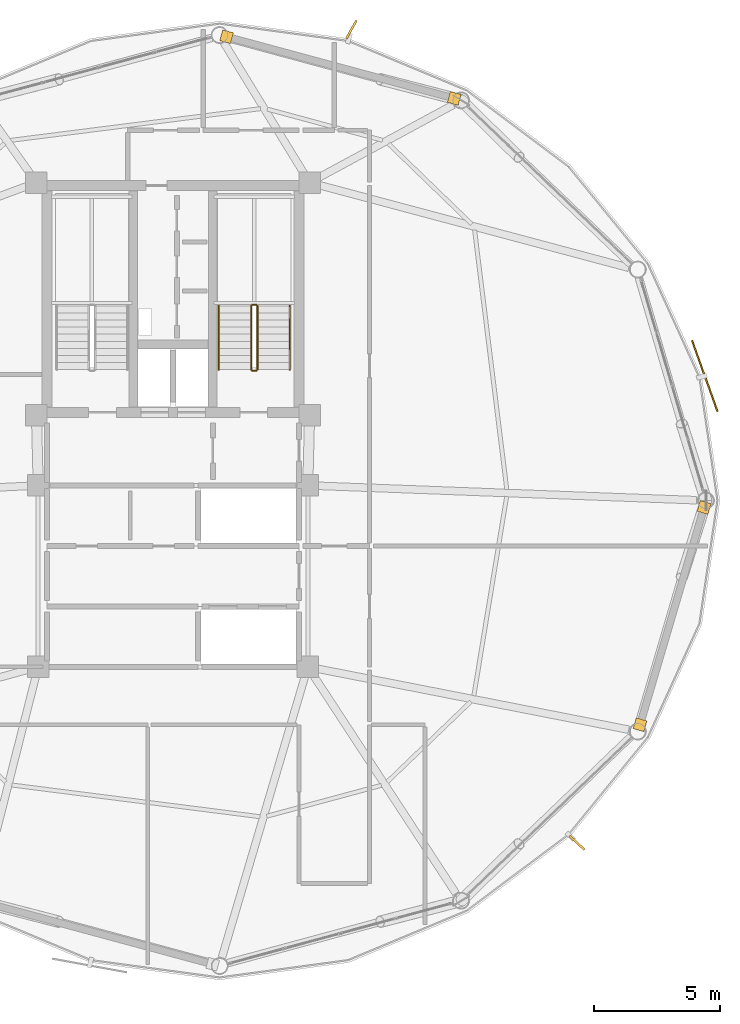
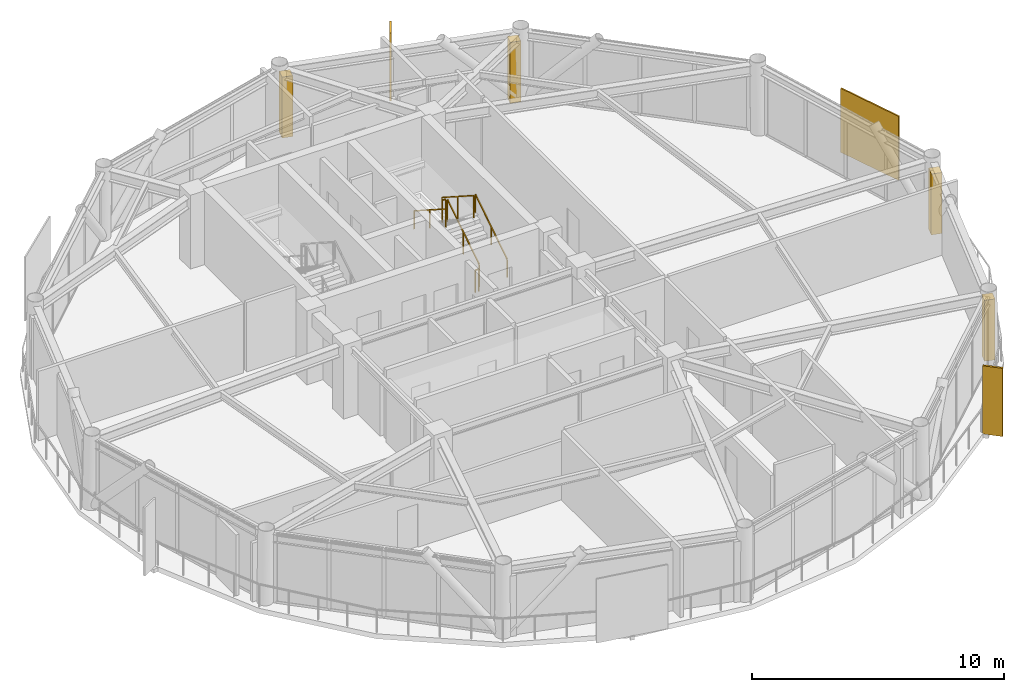
# One storey, part 28 of 28: 6 railings, 4 coverings, 3 shading devices.
"""IFC4 building model written with IfcOpenShell, lengths in metres."""

import ifcopenshell
import ifcopenshell.guid

model = None  # the IFC model being written
_history = None  # IfcOwnerHistory: only IFC2X3 demands one
_inside = {}  # id of a spatial element -> (the spatial element, [elements in it])
_under = {}  # id of a project, library or spatial element -> (it, [spatial elements below it])
_declared = {}  # id of a project -> (the project, [libraries it declares])
_typed = {}  # id of a type object -> (the type object, [elements of that type])
_made_of = {}  # id of a material, layer set ... -> (it, [elements and type objects made of it])


def new_model(schema):
    """Start an empty IFC model of exactly this schema.

    Asked for "IFC4X3", IfcOpenShell would pick the latest addendum, in which some entities
    have other attributes; the version numbers below select the first issue.
    IFC2X3 requires an IfcOwnerHistory on every rooted entity: one is made here for all.
    """
    global model, _history
    if schema == "IFC4X3":
        model = ifcopenshell.file(schema_version=(4, 3, 0, 0))
    else:
        model = ifcopenshell.file(schema=schema)
    _inside.clear()
    _under.clear()
    _declared.clear()
    _typed.clear()
    _made_of.clear()
    _history = None
    if model.schema == "IFC2X3":
        org = make("IfcOrganization", Name="unknown")
        user = make(
            "IfcPersonAndOrganization",
            ThePerson=make("IfcPerson", FamilyName="unknown"),
            TheOrganization=org,
        )
        app = make(
            "IfcApplication",
            ApplicationDeveloper=org,
            Version="unknown",
            ApplicationFullName="unknown",
            ApplicationIdentifier="unknown",
        )
        _history = make(
            "IfcOwnerHistory",
            OwningUser=user,
            OwningApplication=app,
            ChangeAction="ADDED",
            CreationDate=0,
        )
    return model


def make(cls, **values):
    """One entity of the class cls with the attributes given. An attribute that is None is left unset."""
    return model.create_entity(
        cls, **{name: value for name, value in values.items() if value is not None}
    )


def rooted(cls, **values):
    """An entity with a GlobalId (a new one), such as an element, a storey or a relation."""
    return make(cls, GlobalId=ifcopenshell.guid.new(), OwnerHistory=_history, **values)


def si_unit(unit_type, name, prefix=None):
    """IfcSIUnit, for example si_unit("LENGTHUNIT", "METRE", prefix="MILLI")."""
    return make("IfcSIUnit", UnitType=unit_type, Prefix=prefix, Name=name)


def assignment(units):
    """IfcUnitAssignment: the units of a project."""
    return None if units is None else make("IfcUnitAssignment", Units=units)


def point(xyz):
    """IfcCartesianPoint."""
    return None if xyz is None else make("IfcCartesianPoint", Coordinates=xyz)


def direction(xyz):
    """IfcDirection."""
    return None if xyz is None else make("IfcDirection", DirectionRatios=xyz)


def frame(location, z_axis=None, x_axis=None):
    """IfcAxis2Placement3D, a coordinate frame: its origin and axes. An axis left out is left unset."""
    return make(
        "IfcAxis2Placement3D",
        Location=point(location),
        Axis=direction(z_axis),
        RefDirection=direction(x_axis),
    )


def frame_2d(location, x_axis=None):
    """IfcAxis2Placement2D, a coordinate frame in the plane: its origin and x axis."""
    return make(
        "IfcAxis2Placement2D", Location=point(location), RefDirection=direction(x_axis)
    )


def origin():
    """The frame at (0, 0, 0) with its axes left unset."""
    return frame((0.0, 0.0, 0.0))


def origin_2d():
    """The frame at (0, 0) in the plane with its x axis left unset."""
    return frame_2d((0.0, 0.0))


def place(relative_to, where):
    """IfcLocalPlacement: puts the frame where relative to a parent placement (None: the world)."""
    return make(
        "IfcLocalPlacement", PlacementRelTo=relative_to, RelativePlacement=where
    )


def context(
    kind, dimensions, precision=None, world=None, true_north=None, identifier=None
):
    """IfcGeometricRepresentationContext, for example the 3D "Model" context."""
    return make(
        "IfcGeometricRepresentationContext",
        ContextIdentifier=identifier,
        ContextType=kind,
        CoordinateSpaceDimension=dimensions,
        Precision=precision,
        WorldCoordinateSystem=world,
        TrueNorth=true_north,
    )


def subcontext(parent, identifier, kind, view, scale=None):
    """IfcGeometricRepresentationSubContext, for example "Body" below "Model"."""
    return make(
        "IfcGeometricRepresentationSubContext",
        ContextIdentifier=identifier,
        ContextType=kind,
        ParentContext=parent,
        TargetScale=scale,
        TargetView=view,
    )


def project(units=None, contexts=None):
    """IfcProject with its units and contexts."""
    return rooted(
        "IfcProject",
        Name="project",
        RepresentationContexts=contexts,
        UnitsInContext=assignment(units),
    )


def spatial(cls, under=None, at=None, **own):
    """A site, building, storey or space (cls), placed at a placement, below another one or the project."""
    s = rooted(cls, ObjectPlacement=at, **own)
    if under is not None:
        _under.setdefault(under.id(), (under, []))[1].append(s)
    return s


def profile(cls, at=None, kind="AREA", **sizes):
    """A parametric profile (cls). Its sizes go by their IFC names, for example OverallWidth=200.0."""
    return make(cls, ProfileType=kind, Position=at, **sizes)


def rectangle(**sizes):
    """IfcRectangleProfileDef."""
    return profile("IfcRectangleProfileDef", **sizes)


def extrude(swept, where, along, depth):
    """IfcExtrudedAreaSolid: the profile swept, set in the frame where, extruded along a direction by depth."""
    return make(
        "IfcExtrudedAreaSolid",
        SweptArea=swept,
        Position=where,
        ExtrudedDirection=direction(along),
        Depth=depth,
    )


def shape(context_of_items, identifier, shape_type, items):
    """IfcShapeRepresentation: the items that make up one representation, for example the "Body"."""
    return make(
        "IfcShapeRepresentation",
        ContextOfItems=context_of_items,
        RepresentationIdentifier=identifier,
        RepresentationType=shape_type,
        Items=items,
    )


def source(mapping_origin, context_of_items, identifier, shape_type, items):
    """IfcRepresentationMap: a shape defined once, which mapped items show again and again."""
    return make(
        "IfcRepresentationMap",
        MappingOrigin=mapping_origin,
        MappedRepresentation=shape(context_of_items, identifier, shape_type, items),
    )


def transform(
    local_origin,
    x_axis=None,
    y_axis=None,
    z_axis=None,
    scale=None,
    scale2=None,
    scale3=None,
    uniform=True,
):
    """IfcCartesianTransformationOperator3D, or its non-uniform kind. x_axis, y_axis, z_axis: its Axis1, 2, 3."""
    if uniform:
        return make(
            "IfcCartesianTransformationOperator3D",
            Axis1=direction(x_axis),
            Axis2=direction(y_axis),
            LocalOrigin=point(local_origin),
            Scale=scale,
            Axis3=direction(z_axis),
        )
    return make(
        "IfcCartesianTransformationOperator3DnonUniform",
        Axis1=direction(x_axis),
        Axis2=direction(y_axis),
        LocalOrigin=point(local_origin),
        Scale=scale,
        Axis3=direction(z_axis),
        Scale2=scale2,
        Scale3=scale3,
    )


def mapped(mapping_source, mapping_target):
    """IfcMappedItem: shows the shape of a source again, moved by a transform."""
    return make(
        "IfcMappedItem", MappingSource=mapping_source, MappingTarget=mapping_target
    )


def material(Name=None, Category=None):
    """IfcMaterial."""
    return make("IfcMaterial", Name=Name, Category=Category)


def layer(
    of_material, thickness, ventilated=None, Name=None, Category=None, Priority=None
):
    """IfcMaterialLayer: one layer of a wall or slab, of a material (None: an air gap)."""
    return make(
        "IfcMaterialLayer",
        Material=of_material,
        LayerThickness=thickness,
        IsVentilated=ventilated,
        Name=Name,
        Category=Category,
        Priority=Priority,
    )


def layer_set(layers, Name=None):
    """IfcMaterialLayerSet."""
    return make("IfcMaterialLayerSet", MaterialLayers=layers, LayerSetName=Name)


def made_of(thing, what):
    """Note that an element or type object is made of a material, layer set ...; save() writes the relation."""
    if what is not None:
        _made_of.setdefault(what.id(), (what, []))[1].append(thing)
    return thing


def type_object(cls, material=None, **own):
    """A type object (cls), such as IfcWallType, which elements share."""
    return made_of(rooted(cls, **own), material)


def type_shapes(of_type, sources):
    """Give a type object the sources (RepresentationMaps) that its elements show as mapped items."""
    of_type.RepresentationMaps = sources


def element(
    cls,
    number,
    at=None,
    inside=None,
    cuts=None,
    type_object=None,
    material=None,
    context=None,
    identifier="Body",
    shape_type=None,
    held_by="IfcProductDefinitionShape",
    body=None,
    shapes=None,
    **own,
):
    """One element of the class cls, such as IfcWall. Its Tag is "e" and its number.

    at: its placement. inside: the storey or other place that contains it. cuts: it is an
    opening in that element (IfcRelVoidsElement). A single representation is given by context,
    identifier, shape_type and body (its items); several are given by shapes. held_by: the class
    of the entity that holds the representations. save() writes the other relations.
    """
    e = rooted(cls, Tag="e%d" % number, ObjectPlacement=at, **own)
    if body is not None:
        shapes = [shape(context, identifier, shape_type, body)]
    if shapes is not None:
        e.Representation = make(held_by, Representations=shapes)
    if inside is not None:
        _inside.setdefault(inside.id(), (inside, []))[1].append(e)
    if cuts is not None:
        rooted(
            "IfcRelVoidsElement", RelatingBuildingElement=cuts, RelatedOpeningElement=e
        )
    if type_object is not None:
        _typed.setdefault(type_object.id(), (type_object, []))[1].append(e)
    return made_of(e, material)


def aggregate(whole, parts):
    """IfcRelAggregates: a whole, such as a stair, and the parts it consists of."""
    return rooted("IfcRelAggregates", RelatingObject=whole, RelatedObjects=parts)


def save(model, path):
    """Write the relations noted so far, then the file.

    IfcRelAggregates (storeys below a building ...), IfcRelContainedInSpatialStructure (elements
    in a storey), IfcRelDefinesByType, IfcRelAssociatesMaterial and IfcRelDeclares: one each for
    every whole, place, type object, material and project.
    """
    for whole, parts in _under.values():
        aggregate(whole, parts)
    for where, things in _inside.values():
        rooted(
            "IfcRelContainedInSpatialStructure",
            RelatedElements=things,
            RelatingStructure=where,
        )
    for kind, things in _typed.values():
        rooted("IfcRelDefinesByType", RelatedObjects=things, RelatingType=kind)
    for what, things in _made_of.values():
        rooted("IfcRelAssociatesMaterial", RelatedObjects=things, RelatingMaterial=what)
    for by, libraries in _declared.values():
        rooted("IfcRelDeclares", RelatingContext=by, RelatedDefinitions=libraries)
    model.write(path)


model = new_model("IFC4")

# Units and contexts
model_context = context("Model", 3, precision=1e-05, world=origin(), true_north=direction((0.0, 1.0)))
body_context = subcontext(model_context, "Body", "Model", "MODEL_VIEW")
ifc_project = project(units=[si_unit("LENGTHUNIT", "METRE"), si_unit("AREAUNIT", "SQUARE_METRE"), si_unit("VOLUMEUNIT", "CUBIC_METRE"), si_unit("PLANEANGLEUNIT", "RADIAN"), si_unit("MASSUNIT", "GRAM", prefix="KILO")], contexts=[model_context])

# Site, building, storey
site_placement = place(None, origin())
site = spatial("IfcSite", under=ifc_project, at=site_placement, CompositionType="ELEMENT")
building_placement = place(site_placement, origin())
building = spatial("IfcBuilding", under=site, at=building_placement, Name="Varnakorn Sky Granary", CompositionType="ELEMENT")
storey_placement = place(building_placement, frame((0.0, 0.0, 204.0)))
storey = spatial("IfcBuildingStorey", under=building, at=storey_placement, Name="L51", CompositionType="ELEMENT", Elevation=204.0)

# Railings
ifc_material_1 = material(Name="Brushed Stainless Steel 316", Category="steel")
railing_type_1 = type_object("IfcRailingType", Name="RL-STAIR-1100", PredefinedType="GUARDRAIL", material=ifc_material_1)
railing_1_placement = place(storey_placement, frame((6.35009765625, 5.199951171875, 0.179931640625)))
element("IfcRailing", 1, at=railing_1_placement, inside=storey, type_object=railing_type_1, Name="L51 ST-2 stair guard 1", PredefinedType="GUARDRAIL", context=body_context, shape_type="SweptSolid", body=[
    extrude(rectangle(XDim=0.048095703125, YDim=0.048095703125, at=origin_2d()), frame((0.0, 0.0, 1.076171875), z_axis=(0.0, 0.841162588446, 0.540782303519), x_axis=(-1.0, 0.0, 0.0)), (0.0, 0.0, 1.0), 2.995849609375),
    extrude(rectangle(XDim=0.0419921875, YDim=0.0419921875, at=origin_2d()), origin(), (0.0, 0.0, 1.0), 1.048095703125),
    extrude(rectangle(XDim=0.0419921875, YDim=0.0419921875, at=origin_2d()), frame((0.0, 1.260009765625, 0.81005859375)), (0.0, 0.0, 1.0), 1.048095703125),
    extrude(rectangle(XDim=0.0419921875, YDim=0.0419921875, at=origin_2d()), frame((0.0, 2.52001953125, 1.6201171875)), (0.0, 0.0, 1.0), 1.048095703125),
])
railing_2_placement = place(storey_placement, frame((6.300048828125, 7.77001953125, 1.800048828125)))
element("IfcRailing", 2, at=railing_2_placement, inside=storey, type_object=railing_type_1, Name="L51 ST-2 stair guard 2", PredefinedType="GUARDRAIL", context=body_context, shape_type="SweptSolid", body=[
    extrude(rectangle(XDim=0.048095703125, YDim=0.048095703125, at=origin_2d()), frame((0.0, 0.0, 1.076171875), z_axis=(-1.0, 0.0, 0.0), x_axis=(0.0, -1.0, 0.0)), (0.0, 0.0, 1.0), 0.150146484375),
    extrude(rectangle(XDim=0.0419921875, YDim=0.0419921875, at=origin_2d()), origin(), (0.0, 0.0, 1.0), 1.048095703125),
    extrude(rectangle(XDim=0.0419921875, YDim=0.0419921875, at=origin_2d()), frame((-0.150146484375, 0.0, 0.0)), (0.0, 0.0, 1.0), 1.048095703125),
])
railing_3_placement = place(storey_placement, frame((6.10009765625, 7.719970703125, 1.97998046875)))
element("IfcRailing", 3, at=railing_3_placement, inside=storey, type_object=railing_type_1, Name="L51 ST-2 stair guard 3", PredefinedType="GUARDRAIL", context=body_context, shape_type="SweptSolid", body=[
    extrude(rectangle(XDim=0.048095703125, YDim=0.048095703125, at=origin_2d()), frame((0.0, 0.0, 1.076171875), z_axis=(0.0, -0.841162588446, 0.540782303519), x_axis=(1.0, 0.0, 0.0)), (0.0, 0.0, 1.0), 2.995849609375),
    extrude(rectangle(XDim=0.0419921875, YDim=0.0419921875, at=origin_2d()), origin(), (0.0, 0.0, 1.0), 1.048095703125),
    extrude(rectangle(XDim=0.0419921875, YDim=0.0419921875, at=origin_2d()), frame((0.0, -1.260009765625, 0.81005859375)), (0.0, 0.0, 1.0), 1.048095703125),
    extrude(rectangle(XDim=0.0419921875, YDim=0.0419921875, at=origin_2d()), frame((0.0, -2.52001953125, 1.6201171875)), (0.0, 0.0, 1.0), 1.048095703125),
])
railing_4_placement = place(storey_placement, frame((6.300048828125, 5.14990234375, 0.0)))
element("IfcRailing", 4, at=railing_4_placement, inside=storey, type_object=railing_type_1, Name="L51 ST-2 stair guard 4", PredefinedType="GUARDRAIL", context=body_context, shape_type="SweptSolid", body=[
    extrude(rectangle(XDim=0.048095703125, YDim=0.048095703125, at=origin_2d()), frame((0.0, 0.0, 1.076171875), z_axis=(-1.0, 0.0, 0.0), x_axis=(0.0, -1.0, 0.0)), (0.0, 0.0, 1.0), 0.150146484375),
    extrude(rectangle(XDim=0.0419921875, YDim=0.0419921875, at=origin_2d()), origin(), (0.0, 0.0, 1.0), 1.048095703125),
    extrude(rectangle(XDim=0.0419921875, YDim=0.0419921875, at=origin_2d()), frame((-0.150146484375, 0.0, 0.0)), (0.0, 0.0, 1.0), 1.048095703125),
])
railing_type_2 = type_object("IfcRailingType", Name="RL-STAIR-920", PredefinedType="HANDRAIL", material=ifc_material_1)
railing_5_placement = place(storey_placement, frame((7.6298828125, 5.199951171875, 0.179931640625)))
element("IfcRailing", 5, at=railing_5_placement, inside=storey, type_object=railing_type_2, Name="L51 ST-2 stair handrail 1", PredefinedType="HANDRAIL", context=body_context, shape_type="SweptSolid", body=[
    extrude(rectangle(XDim=0.048095703125, YDim=0.048095703125, at=origin_2d()), frame((0.0, 0.0, 0.8759765625), z_axis=(0.0, 0.841162588446, 0.540782303519), x_axis=(-1.0, 0.0, 0.0)), (0.0, 0.0, 1.0), 2.995849609375),
    extrude(rectangle(XDim=0.0419921875, YDim=0.0419921875, at=origin_2d()), origin(), (0.0, 0.0, 1.0), 0.847900390625),
    extrude(rectangle(XDim=0.0419921875, YDim=0.0419921875, at=origin_2d()), frame((0.0, 1.260009765625, 0.81005859375)), (0.0, 0.0, 1.0), 0.847900390625),
    extrude(rectangle(XDim=0.0419921875, YDim=0.0419921875, at=origin_2d()), frame((0.0, 2.52001953125, 1.6201171875)), (0.0, 0.0, 1.0), 0.847900390625),
])
railing_6_placement = place(storey_placement, frame((4.820068359375, 7.719970703125, 1.97998046875)))
element("IfcRailing", 6, at=railing_6_placement, inside=storey, type_object=railing_type_2, Name="L51 ST-2 stair handrail 2", PredefinedType="HANDRAIL", context=body_context, shape_type="SweptSolid", body=[
    extrude(rectangle(XDim=0.048095703125, YDim=0.048095703125, at=origin_2d()), frame((0.0, 0.0, 0.8759765625), z_axis=(0.0, -0.841162588446, 0.540782303519), x_axis=(1.0, 0.0, 0.0)), (0.0, 0.0, 1.0), 2.995849609375),
    extrude(rectangle(XDim=0.0419921875, YDim=0.0419921875, at=origin_2d()), origin(), (0.0, 0.0, 1.0), 0.847900390625),
    extrude(rectangle(XDim=0.0419921875, YDim=0.0419921875, at=origin_2d()), frame((0.0, -1.260009765625, 0.81005859375)), (0.0, 0.0, 1.0), 0.847900390625),
    extrude(rectangle(XDim=0.0419921875, YDim=0.0419921875, at=origin_2d()), frame((0.0, -2.52001953125, 1.6201171875)), (0.0, 0.0, 1.0), 0.847900390625),
])

# Shading devices
ifc_material_2 = material(Name="Anodised Bronze Aluminium Alloy 6063-T6", Category="aluminium")
shading_device_type_1 = type_object("IfcShadingDeviceType", Name="SH-SCR-02", PredefinedType="USERDEFINED", material=ifc_material_2)
shared_shape_1 = source(origin(), body_context, "Body", "SweptSolid", [
    extrude(rectangle(XDim=3.0, YDim=0.06494140625, at=origin_2d()), origin(), (0.0, 0.0, 1.0), 3.10009765625),
])
type_shapes(shading_device_type_1, [shared_shape_1])
shading_device_placement = place(storey_placement, frame((24.1044921875, 4.942138671875, -0.0400390625), z_axis=(0.0, 0.0, 1.0), x_axis=(-0.336198318819, 0.941791213817, 0.0)))
element("IfcShadingDevice", 7, at=shading_device_placement, inside=storey, type_object=shading_device_type_1, Name="Perforated Bronze Solar Screen Panel SCREEN L51-01", ObjectType="SCREEN", PredefinedType="USERDEFINED", context=body_context, shape_type="MappedRepresentation", body=[
    mapped(shared_shape_1, transform((0.0, 0.0, 0.0), x_axis=(1.0, 0.0, 0.0), y_axis=(0.0, 1.0, 0.0), z_axis=(0.0, 0.0, 1.0), scale=1.0)),
])
shading_device_type_2 = type_object("IfcShadingDeviceType", Name="SH-FIN-02", PredefinedType="USERDEFINED", material=ifc_material_2)
shared_shape_2 = source(origin(), body_context, "Body", "SweptSolid", [
    extrude(rectangle(XDim=0.0849609375, YDim=0.820068359375, at=origin_2d()), origin(), (0.0, 0.0, 1.0), 3.300048828125),
])
type_shapes(shading_device_type_2, [shared_shape_2])
for number, where, z_axis, x_axis, name in (
    (8, (10.078857421875, 18.693115234375, -0.0400390625), (0.0, 0.0, 1.0), (-0.872023068687, 0.489464776749, 0.0), "Bronze Solar-Tracking Vertical Blade FIN L51-03"),
    (9, (19.033447265625, -13.582275390625, -0.0400390625), (0.0, 0.0, 1.0), (0.682853569649, 0.730555269927, 0.0), "Bronze Solar-Tracking Vertical Blade FIN L51-11"),
):
    element("IfcShadingDevice", number, at=place(storey_placement, frame(where, z_axis=z_axis, x_axis=x_axis)), inside=storey, type_object=shading_device_type_2, Name=name, ObjectType="FIN", PredefinedType="USERDEFINED", context=body_context, shape_type="MappedRepresentation", body=[
        mapped(shared_shape_2, transform((0.0, 0.0, 0.0), x_axis=(1.0, 0.0, 0.0), y_axis=(0.0, 1.0, 0.0), z_axis=(0.0, 0.0, 1.0), scale=1.0)),
    ])

# Coverings
ifc_layer = layer(ifc_material_2, 0.050048828125, Name="Anodised Bronze Aluminium Alloy 6063-T6")
ifc_layer_set = layer_set([ifc_layer], Name="Anodised Bronze Aluminium Alloy 6063-T6")
covering_type = type_object("IfcCoveringType", Name="CV-CLAD-50", PredefinedType="CLADDING", material=ifc_layer_set)
shared_shape_3 = source(origin(), body_context, "Body", "SweptSolid", [
    extrude(rectangle(XDim=0.43994140625, YDim=0.43994140625, at=origin_2d()), origin(), (0.0, 0.0, 1.0), 2.949951171875),
])
type_shapes(covering_type, [shared_shape_3])
for number, where, z_axis, x_axis, name in (
    (10, (5.125, 18.404541015625, -0.02001953125), (0.0, 0.0, 1.0), (0.965336098699, -0.261009993198, 0.0), "Bronze Corner Pilaster Closure L51-P03-A"),
    (11, (14.161376953125, 15.960693359375, -0.02001953125), (0.0, 0.0, 1.0), (0.965336098699, -0.261009993198, 0.0), "Bronze Corner Pilaster Closure L51-P03-B"),
    (12, (24.077392578125, -0.2734375, -0.02001953125), (0.0, 0.0, 1.0), (-0.282676303383, -0.959215360337, 0.0), "Bronze Corner Pilaster Closure L51-P12-A"),
    (13, (21.534912109375, -8.898681640625, -0.02001953125), (0.0, 0.0, 1.0), (-0.282676303383, -0.959215360337, 0.0), "Bronze Corner Pilaster Closure L51-P12-B"),
):
    element("IfcCovering", number, at=place(storey_placement, frame(where, z_axis=z_axis, x_axis=x_axis)), inside=storey, type_object=covering_type, Name=name, PredefinedType="CLADDING", context=body_context, shape_type="MappedRepresentation", body=[
        mapped(shared_shape_3, transform((0.0, 0.0, 0.0), x_axis=(1.0, 0.0, 0.0), y_axis=(0.0, 1.0, 0.0), z_axis=(0.0, 0.0, 1.0), scale=1.0)),
    ])

save(model, "model.ifc")
